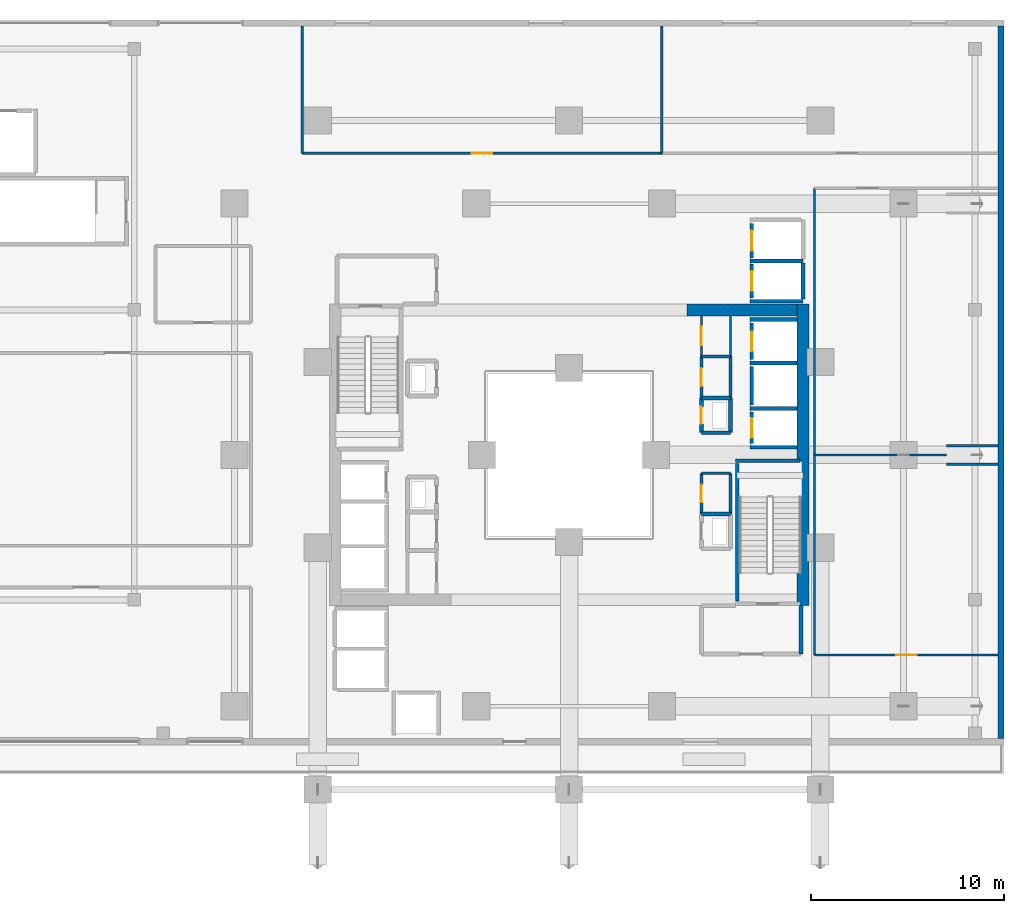
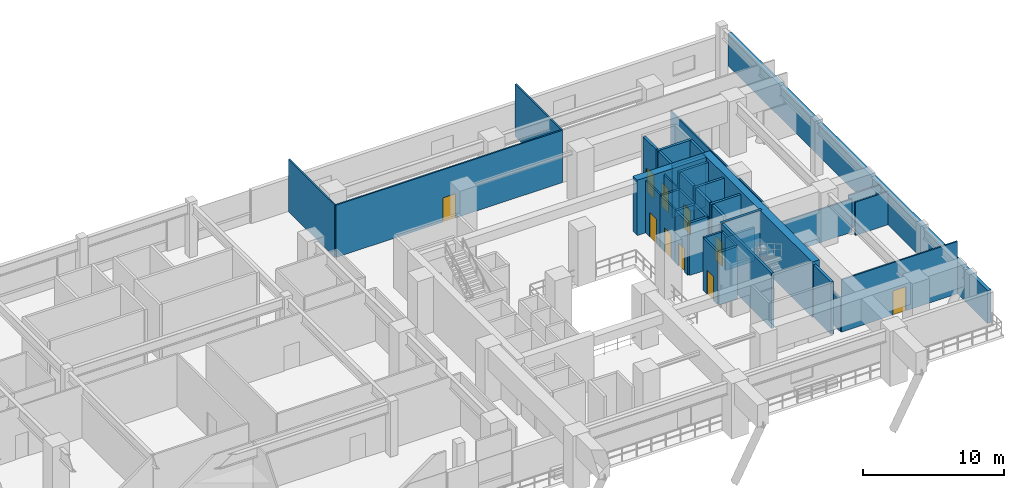
# One storey, part 19 of 25: 40 walls, 10 doors, 10 openings.
"""IFC4 building model written with IfcOpenShell, lengths in metres."""

from ifc_helpers import new_model, si_unit, direction, frame, frame_2d, origin, place, context, subcontext, project, spatial, rectangle, extrude, material, layer, layer_set, type_object, element, fill, save


model = new_model("IFC4")

# Units and contexts
model_context = context("Model", 3, precision=1e-05, world=origin(), true_north=direction((0.0, 1.0)))
body_context = subcontext(model_context, "Body", "Model", "MODEL_VIEW")
ifc_project = project(units=[si_unit("LENGTHUNIT", "METRE"), si_unit("AREAUNIT", "SQUARE_METRE"), si_unit("VOLUMEUNIT", "CUBIC_METRE"), si_unit("PLANEANGLEUNIT", "RADIAN"), si_unit("MASSUNIT", "GRAM", prefix="KILO")], contexts=[model_context])

# Site, building, storey
site_placement = place(None, origin())
site = spatial("IfcSite", under=ifc_project, at=site_placement, CompositionType="ELEMENT")
building_placement = place(site_placement, origin())
building = spatial("IfcBuilding", under=site, at=building_placement, Name="Thornwick Lancets Civic Towers", CompositionType="ELEMENT")
storey_placement = place(building_placement, frame((0.0, 0.0, 23.10009765625)))
storey = spatial("IfcBuildingStorey", under=building, at=storey_placement, Name="L05", CompositionType="ELEMENT", Elevation=23.10009765625)

# Wall, opening, door
ifc_material_1 = material(Name="Concrete blockwork C40/50", Category="masonry")
ifc_layer_1 = layer(ifc_material_1, 0.199951171875, Name="Concrete blockwork C40/50")
ifc_layer_set_1 = layer_set([ifc_layer_1], Name="Concrete blockwork C40/50")
wall_type_1 = type_object("IfcWallType", Name="WALL_COMP_200", PredefinedType="STANDARD", material=ifc_layer_set_1)
wall_1_placement = place(storey_placement, frame((97.949951171875, 29.219970703125, 0.0), z_axis=(0.0, 0.0, 1.0), x_axis=(0.0, -1.0, 0.0)))
wall_1 = element("IfcWall", 1, at=wall_1_placement, inside=storey, type_object=wall_type_1, Name="L05 Hoistway Front Wall FL-B1", PredefinedType="STANDARD", context=body_context, shape_type="SweptSolid", body=[
    extrude(rectangle(XDim=1.639892578125, YDim=0.199951171875, at=frame_2d((0.81982421875, 0.0))), origin(), (0.0, 0.0, 1.0), 4.539794921875),
])
opening_1_placement = place(wall_1_placement, frame((0.31005859375, 0.0, 0.0)))
opening_1 = element("IfcOpeningElement", 2, at=opening_1_placement, cuts=wall_1, Name="Opening LD-FL-B1", PredefinedType="OPENING", context=body_context, shape_type="SweptSolid", body=[
    extrude(rectangle(XDim=1.02001953125, YDim=2.06005859375, at=frame_2d((0.510009765625, 1.030029296875))), frame((0.0, 0.10986328125, 0.0), z_axis=(0.0, -1.0, 0.0), x_axis=(1.0, 0.0, 0.0)), (0.0, 0.0, 1.0), 0.219970703125),
])
ifc_material_2 = material(Name="Brushed bronze stainless steel", Category="steel")
door_type_1 = type_object("IfcDoorType", Name="DOOR_LIFT_SLIDE", OperationType="SLIDING_TO_LEFT", PredefinedType="DOOR", material=ifc_material_2)
door_1_placement = place(opening_1_placement, origin())
door_1 = element("IfcDoor", 3, at=door_1_placement, inside=storey, type_object=door_type_1, Name="L05 Sliding Lift Landing Door LD-FL-B1", OperationType="SLIDING_TO_LEFT", OverallHeight=2.06005859375, OverallWidth=1.02001953125, PredefinedType="DOOR", context=body_context, shape_type="SweptSolid", body=[
    extrude(rectangle(XDim=1.02001953125, YDim=2.06005859375, at=frame_2d((0.510009765625, 1.030029296875))), frame((0.0, 0.02490234375, 0.0), z_axis=(0.0, -1.0, 0.0), x_axis=(1.0, 0.0, 0.0)), (0.0, 0.0, 1.0), 0.050048828125),
])
fill(opening_1, door_1)

# Wall
wall_2_placement = place(storey_placement, frame((97.949951171875, 31.570068359375, 0.0), z_axis=(0.0, 0.0, 1.0), x_axis=(0.0, -1.0, 0.0)))
element("IfcWall", 4, at=wall_2_placement, inside=storey, type_object=wall_type_1, Name="L05 Hoistway Front Wall PL-BH1", PredefinedType="STANDARD", context=body_context, shape_type="SweptSolid", body=[
    extrude(rectangle(XDim=1.989990234375, YDim=0.199951171875, at=frame_2d((0.9951171875, 0.0))), origin(), (0.0, 0.0, 1.0), 4.539794921875),
])

# Wall, opening, door
wall_3_placement = place(storey_placement, frame((97.949951171875, 33.820068359375, 0.0), z_axis=(0.0, 0.0, 1.0), x_axis=(0.0, -1.0, 0.0)))
wall_3 = element("IfcWall", 5, at=wall_3_placement, inside=storey, type_object=wall_type_1, Name="L05 Hoistway Front Wall PL-BL1", PredefinedType="STANDARD", context=body_context, shape_type="SweptSolid", body=[
    extrude(rectangle(XDim=1.89013671875, YDim=0.199951171875, at=frame_2d((0.945068359375, 0.0))), origin(), (0.0, 0.0, 1.0), 4.539794921875),
])
opening_2_placement = place(wall_3_placement, frame((0.43505859375, 0.0, 0.0)))
opening_2 = element("IfcOpeningElement", 6, at=opening_2_placement, cuts=wall_3, Name="Opening LD-PL-BL1", PredefinedType="OPENING", context=body_context, shape_type="SweptSolid", body=[
    extrude(rectangle(XDim=1.02001953125, YDim=2.06005859375, at=frame_2d((0.510009765625, 1.030029296875))), frame((0.0, 0.10986328125, 0.0), z_axis=(0.0, -1.0, 0.0), x_axis=(1.0, 0.0, 0.0)), (0.0, 0.0, 1.0), 0.219970703125),
])
door_2_placement = place(opening_2_placement, origin())
door_2 = element("IfcDoor", 7, at=door_2_placement, inside=storey, type_object=door_type_1, Name="L05 Sliding Lift Landing Door LD-PL-BL1", OperationType="SLIDING_TO_LEFT", OverallHeight=2.06005859375, OverallWidth=1.02001953125, PredefinedType="DOOR", context=body_context, shape_type="SweptSolid", body=[
    extrude(rectangle(XDim=1.02001953125, YDim=2.06005859375, at=frame_2d((0.510009765625, 1.030029296875))), frame((0.0, 0.02490234375, 0.0), z_axis=(0.0, -1.0, 0.0), x_axis=(1.0, 0.0, 0.0)), (0.0, 0.0, 1.0), 0.050048828125),
])
fill(opening_2, door_2)

wall_4_placement = place(storey_placement, frame((97.949951171875, 36.8701171875, 0.0), z_axis=(0.0, 0.0, 1.0), x_axis=(0.0, -1.0, 0.0)))
wall_4 = element("IfcWall", 8, at=wall_4_placement, inside=storey, type_object=wall_type_1, Name="L05 Hoistway Front Wall PL-BL2", PredefinedType="STANDARD", context=body_context, shape_type="SweptSolid", body=[
    extrude(rectangle(XDim=1.740234375, YDim=0.199951171875, at=frame_2d((0.8701171875, 0.0))), origin(), (0.0, 0.0, 1.0), 4.539794921875),
])
opening_3_placement = place(wall_4_placement, frame((0.360107421875, 0.0, 0.0)))
opening_3 = element("IfcOpeningElement", 9, at=opening_3_placement, cuts=wall_4, Name="Opening LD-PL-BL2", PredefinedType="OPENING", context=body_context, shape_type="SweptSolid", body=[
    extrude(rectangle(XDim=1.02001953125, YDim=2.06005859375, at=frame_2d((0.510009765625, 1.030029296875))), frame((0.0, 0.10986328125, 0.0), z_axis=(0.0, -1.0, 0.0), x_axis=(1.0, 0.0, 0.0)), (0.0, 0.0, 1.0), 0.219970703125),
])
door_3_placement = place(opening_3_placement, origin())
door_3 = element("IfcDoor", 10, at=door_3_placement, inside=storey, type_object=door_type_1, Name="L05 Sliding Lift Landing Door LD-PL-BL2", OperationType="SLIDING_TO_LEFT", OverallHeight=2.06005859375, OverallWidth=1.02001953125, PredefinedType="DOOR", context=body_context, shape_type="SweptSolid", body=[
    extrude(rectangle(XDim=1.02001953125, YDim=2.06005859375, at=frame_2d((0.510009765625, 1.030029296875))), frame((0.0, 0.02490234375, 0.0), z_axis=(0.0, -1.0, 0.0), x_axis=(1.0, 0.0, 0.0)), (0.0, 0.0, 1.0), 0.050048828125),
])
fill(opening_3, door_3)

wall_5_placement = place(storey_placement, frame((97.949951171875, 38.969970703125, 0.0), z_axis=(0.0, 0.0, 1.0), x_axis=(0.0, -1.0, 0.0)))
wall_5 = element("IfcWall", 11, at=wall_5_placement, inside=storey, type_object=wall_type_1, Name="L05 Hoistway Front Wall PL-BL3", PredefinedType="STANDARD", context=body_context, shape_type="SweptSolid", body=[
    extrude(rectangle(XDim=1.7900390625, YDim=0.199951171875, at=frame_2d((0.89501953125, 0.0))), origin(), (0.0, 0.0, 1.0), 4.539794921875),
])
opening_4_placement = place(wall_5_placement, frame((0.385009765625, 0.0, 0.0)))
opening_4 = element("IfcOpeningElement", 12, at=opening_4_placement, cuts=wall_5, Name="Opening LD-PL-BL3", PredefinedType="OPENING", context=body_context, shape_type="SweptSolid", body=[
    extrude(rectangle(XDim=1.02001953125, YDim=2.06005859375, at=frame_2d((0.510009765625, 1.030029296875))), frame((0.0, 0.10986328125, 0.0), z_axis=(0.0, -1.0, 0.0), x_axis=(1.0, 0.0, 0.0)), (0.0, 0.0, 1.0), 0.219970703125),
])
door_4_placement = place(opening_4_placement, origin())
door_4 = element("IfcDoor", 13, at=door_4_placement, inside=storey, type_object=door_type_1, Name="L05 Sliding Lift Landing Door LD-PL-BL3", OperationType="SLIDING_TO_LEFT", OverallHeight=2.06005859375, OverallWidth=1.02001953125, PredefinedType="DOOR", context=body_context, shape_type="SweptSolid", body=[
    extrude(rectangle(XDim=1.02001953125, YDim=2.06005859375, at=frame_2d((0.510009765625, 1.030029296875))), frame((0.0, 0.02490234375, 0.0), z_axis=(0.0, -1.0, 0.0), x_axis=(1.0, 0.0, 0.0)), (0.0, 0.0, 1.0), 0.050048828125),
])
fill(opening_4, door_4)

# Walls
wall_6_placement = place(storey_placement, frame((97.85205078125, 29.39990234375, 0.0), z_axis=(0.0, 0.0, 1.0), x_axis=(1.0, 0.0, 0.0)))
element("IfcWall", 14, at=wall_6_placement, inside=storey, type_object=wall_type_1, Name="L05 Hoistway Shaft Wall FL-B1 N", PredefinedType="STANDARD", context=body_context, shape_type="SweptSolid", body=[
    extrude(rectangle(XDim=2.43603515625, YDim=0.199951171875, at=frame_2d((1.218017578125, 0.0))), origin(), (0.0, 0.0, 1.0), 4.539794921875),
])
wall_7_placement = place(storey_placement, frame((97.85205078125, 27.39990234375, 0.0), z_axis=(0.0, 0.0, 1.0), x_axis=(1.0, 0.0, 0.0)))
element("IfcWall", 15, at=wall_7_placement, inside=storey, type_object=wall_type_1, Name="L05 Hoistway Shaft Wall FL-B1 S", PredefinedType="STANDARD", context=body_context, shape_type="SweptSolid", body=[
    extrude(rectangle(XDim=2.43603515625, YDim=0.199951171875, at=frame_2d((1.218017578125, 0.0))), origin(), (0.0, 0.0, 1.0), 2.885009765625),
])
for number, where, z_axis, x_axis, name in (
    (16, (97.85205078125, 31.75, 0.0), (0.0, 0.0, 1.0), (1.0, 0.0, 0.0), "L05 Hoistway Shaft Wall PL-BH1 N"),
    (17, (97.85205078125, 34.0, 0.0), (0.0, 0.0, 1.0), (1.0, 0.0, 0.0), "L05 Hoistway Shaft Wall PL-BL1 N"),
):
    element("IfcWall", number, at=place(storey_placement, frame(where, z_axis=z_axis, x_axis=x_axis)), inside=storey, type_object=wall_type_1, Name=name, PredefinedType="STANDARD", context=body_context, shape_type="SweptSolid", body=[
        extrude(rectangle(XDim=2.43603515625, YDim=0.199951171875, at=frame_2d((1.218017578125, 0.0))), origin(), (0.0, 0.0, 1.0), 4.539794921875),
    ])
for number, where, z_axis, x_axis, name in (
    (18, (97.85205078125, 37.02490234375, 0.0), (0.0, 0.0, 1.0), (1.0, 0.0, 0.0), "L05 Hoistway Shaft Wall PL-BL2 N"),
    (19, (97.85205078125, 34.949951171875, 0.0), (0.0, 0.0, 1.0), (1.0, 0.0, 0.0), "L05 Hoistway Shaft Wall PL-BL2 S"),
):
    element("IfcWall", number, at=place(storey_placement, frame(where, z_axis=z_axis, x_axis=x_axis)), inside=storey, type_object=wall_type_1, Name=name, PredefinedType="STANDARD", context=body_context, shape_type="SweptSolid", body=[
        extrude(rectangle(XDim=2.745849609375, YDim=0.199951171875, at=frame_2d((1.373046875, 0.0))), origin(), (0.0, 0.0, 1.0), 4.539794921875),
    ])
wall_8_placement = place(storey_placement, frame((100.60009765625, 35.06201171875, 0.0), z_axis=(0.0, 0.0, 1.0), x_axis=(0.0, 1.0, 0.0)))
element("IfcWall", 20, at=wall_8_placement, inside=storey, type_object=wall_type_1, Name="L05 Hoistway Shaft Wall PL-BL2 E", PredefinedType="STANDARD", context=body_context, shape_type="SweptSolid", body=[
    extrude(rectangle(XDim=1.85595703125, YDim=0.199951171875, at=frame_2d((0.927978515625, 0.0))), origin(), (0.0, 0.0, 1.0), 4.539794921875),
])
wall_9_placement = place(storey_placement, frame((100.5, 16.699951171875, 0.0), z_axis=(0.0, 0.0, 1.0), x_axis=(0.0, 1.0, 0.0)))
element("IfcWall", 21, at=wall_9_placement, inside=storey, type_object=wall_type_1, Name="L05 Partition L05-B-FFLOB1 E2", PredefinedType="STANDARD", context=body_context, shape_type="SweptSolid", body=[
    extrude(rectangle(XDim=2.5, YDim=0.199951171875, at=frame_2d((1.25, 0.0))), origin(), (0.0, 0.0, 1.0), 4.539794921875),
])
wall_10_placement = place(storey_placement, frame((95.35009765625, 28.14990234375, 0.0), z_axis=(0.0, 0.0, 1.0), x_axis=(1.0, 0.0, 0.0)))
element("IfcWall", 22, at=wall_10_placement, inside=storey, type_object=wall_type_1, Name="L05 Partition L05-B-DUCT1 E1", PredefinedType="STANDARD", context=body_context, shape_type="SweptSolid", body=[
    extrude(rectangle(XDim=1.5, YDim=0.199951171875, at=frame_2d((0.75, 0.0))), origin(), (0.0, 0.0, 1.0), 4.539794921875),
])
wall_11_placement = place(storey_placement, frame((96.85009765625, 28.14990234375, 0.0), z_axis=(0.0, 0.0, 1.0), x_axis=(0.0, 1.0, 0.0)))
element("IfcWall", 23, at=wall_11_placement, inside=storey, type_object=wall_type_1, Name="L05 Partition L05-B-DUCT1 E2", PredefinedType="STANDARD", context=body_context, shape_type="SweptSolid", body=[
    extrude(rectangle(XDim=1.800048828125, YDim=0.199951171875, at=frame_2d((0.89990234375, 0.0))), origin(), (0.0, 0.0, 1.0), 4.539794921875),
])
wall_12_placement = place(storey_placement, frame((96.85009765625, 29.949951171875, 0.0), z_axis=(0.0, 0.0, 1.0), x_axis=(-1.0, 0.0, 0.0)))
element("IfcWall", 24, at=wall_12_placement, inside=storey, type_object=wall_type_1, Name="L05 Partition L05-B-DUCT1 E3", PredefinedType="STANDARD", context=body_context, shape_type="SweptSolid", body=[
    extrude(rectangle(XDim=1.5, YDim=0.199951171875, at=frame_2d((0.75, 0.0))), origin(), (0.0, 0.0, 1.0), 4.539794921875),
])

# Wall, opening, door
wall_13_placement = place(storey_placement, frame((95.35009765625, 29.949951171875, 0.0), z_axis=(0.0, 0.0, 1.0), x_axis=(0.0, -1.0, 0.0)))
wall_13 = element("IfcWall", 25, at=wall_13_placement, inside=storey, type_object=wall_type_1, Name="L05 Partition L05-B-DUCT1 E4", PredefinedType="STANDARD", context=body_context, shape_type="SweptSolid", body=[
    extrude(rectangle(XDim=1.800048828125, YDim=0.199951171875, at=frame_2d((0.89990234375, 0.0))), origin(), (0.0, 0.0, 1.0), 4.539794921875),
])
opening_5_placement = place(wall_13_placement, frame((0.4599609375, 0.0, 0.0)))
opening_5 = element("IfcOpeningElement", 26, at=opening_5_placement, cuts=wall_13, Name="Opening D-L05-0291", PredefinedType="OPENING", context=body_context, shape_type="SweptSolid", body=[
    extrude(rectangle(XDim=0.8798828125, YDim=2.0400390625, at=frame_2d((0.43994140625, 1.02001953125))), frame((0.0, 0.10986328125, 0.0), z_axis=(0.0, -1.0, 0.0), x_axis=(1.0, 0.0, 0.0)), (0.0, 0.0, 1.0), 0.219970703125),
])
ifc_material_3 = material(Name="Steel riser access doorset", Category="steel")
door_type_2 = type_object("IfcDoorType", Name="DOOR_RISER_850", OperationType="NOTDEFINED", PredefinedType="DOOR", material=ifc_material_3)
door_5_placement = place(opening_5_placement, origin())
door_5 = element("IfcDoor", 27, at=door_5_placement, inside=storey, type_object=door_type_2, Name="L05 East Service Duct 1 Door", OperationType="SINGLE_SWING_RIGHT", OverallHeight=2.0400390625, OverallWidth=0.8798828125, PredefinedType="DOOR", context=body_context, shape_type="SweptSolid", body=[
    extrude(rectangle(XDim=0.8798828125, YDim=2.0400390625, at=frame_2d((0.43994140625, 1.02001953125))), frame((0.0, 0.02490234375, 0.0), z_axis=(0.0, -1.0, 0.0), x_axis=(1.0, 0.0, 0.0)), (0.0, 0.0, 1.0), 0.050048828125),
])
fill(opening_5, door_5)

# Walls
wall_14_placement = place(storey_placement, frame((96.85009765625, 23.949951171875, 0.0), z_axis=(0.0, 0.0, 1.0), x_axis=(-1.0, 0.0, 0.0)))
element("IfcWall", 28, at=wall_14_placement, inside=storey, type_object=wall_type_1, Name="L05 Partition L05-B-RISER1 E3", PredefinedType="STANDARD", context=body_context, shape_type="SweptSolid", body=[
    extrude(rectangle(XDim=1.5, YDim=0.199951171875, at=frame_2d((0.75, 0.0))), origin(), (0.0, 0.0, 1.0), 4.539794921875),
])
ifc_material_4 = material(Name="Concrete C60/75", Category="concrete")
ifc_layer_2 = layer(ifc_material_4, 0.60009765625, Name="Concrete C60/75")
ifc_layer_set_2 = layer_set([ifc_layer_2], Name="Concrete C60/75")
wall_type_2 = type_object("IfcWallType", Name="WALL_CORE_600", PredefinedType="SHEAR", material=ifc_layer_set_2)
wall_15_placement = place(storey_placement, frame((100.60009765625, 19.199951171875, 0.0), z_axis=(0.0, 0.0, 1.0), x_axis=(0.0, 1.0, 0.0)))
element("IfcWall", 29, at=wall_15_placement, inside=storey, type_object=wall_type_2, Name="L05 Split Core B1 Shear Wall E", PredefinedType="SHEAR", context=body_context, shape_type="SweptSolid", body=[
    extrude(rectangle(XDim=15.60009765625, YDim=0.60009765625, at=frame_2d((7.800048828125, 0.0))), origin(), (0.0, 0.0, 1.0), 4.7998046875),
])
wall_16_placement = place(storey_placement, frame((94.60009765625, 34.5, 0.0), z_axis=(0.0, 0.0, 1.0), x_axis=(1.0, 0.0, 0.0)))
element("IfcWall", 30, at=wall_16_placement, inside=storey, type_object=wall_type_2, Name="L05 Split Core B1 Shear Wall N", PredefinedType="SHEAR", context=body_context, shape_type="SweptSolid", body=[
    extrude(rectangle(XDim=5.699951171875, YDim=0.60009765625, at=frame_2d((2.85009765625, 0.0))), origin(), (0.0, 0.0, 1.0), 4.7998046875),
])
ifc_material_5 = material(Name="Insulated russet terracotta rainscreen on concrete C40/50", Category="masonry")
ifc_layer_3 = layer(ifc_material_5, 0.300048828125, Name="Insulated russet terracotta rainscreen on concrete C40/50")
ifc_layer_set_3 = layer_set([ifc_layer_3], Name="Insulated russet terracotta rainscreen on concrete C40/50")
wall_type_3 = type_object("IfcWallType", Name="WALL_EXT_RUSSET_300", PredefinedType="STANDARD", material=ifc_layer_set_3)
wall_17_placement = place(storey_placement, frame((110.85009765625, 12.320068359375, 0.0), z_axis=(0.0, 0.0, 1.0), x_axis=(0.0, 1.0, 0.0)))
element("IfcWall", 31, at=wall_17_placement, inside=storey, type_object=wall_type_3, Name="L05 Podium East Facade Wall", PredefinedType="STANDARD", context=body_context, shape_type="SweptSolid", body=[
    extrude(rectangle(XDim=36.85986328125, YDim=0.300048828125, at=frame_2d((18.429931640625, 0.0))), origin(), (0.0, 0.0, 1.0), 2.83984375),
])

# Wall, opening, door
ifc_material_6 = material(Name="Acoustic gypsum board partition")
ifc_layer_4 = layer(ifc_material_6, 0.1201171875, Name="Acoustic gypsum board partition")
ifc_layer_set_4 = layer_set([ifc_layer_4], Name="Acoustic gypsum board partition")
wall_type_4 = type_object("IfcWallType", Name="WALL_PART_120", PredefinedType="PARTITIONING", material=ifc_layer_set_4)
wall_18_placement = place(storey_placement, frame((95.35009765625, 32.10009765625, 0.0), z_axis=(0.0, 0.0, 1.0), x_axis=(0.0, 1.0, 0.0)))
wall_18 = element("IfcWall", 32, at=wall_18_placement, inside=storey, type_object=wall_type_4, Name="L05 Partition L05-B-ITR E1", PredefinedType="PARTITIONING", context=body_context, shape_type="SweptSolid", body=[
    extrude(rectangle(XDim=2.099853515625, YDim=0.1201171875, at=frame_2d((1.0498046875, 0.0))), origin(), (0.0, 0.0, 1.0), 4.539794921875),
])
opening_6_placement = place(wall_18_placement, frame((0.574951171875, 0.0, 0.0)))
opening_6 = element("IfcOpeningElement", 33, at=opening_6_placement, cuts=wall_18, Name="Opening D-L05-0297", PredefinedType="OPENING", context=body_context, shape_type="SweptSolid", body=[
    extrude(rectangle(XDim=0.949951171875, YDim=2.10009765625, at=frame_2d((0.47509765625, 1.050048828125))), frame((0.0, 0.070068359375, 0.0), z_axis=(0.0, -1.0, 0.0), x_axis=(1.0, 0.0, 0.0)), (0.0, 0.0, 1.0), 0.14013671875),
])
ifc_material_7 = material(Name="European oak acoustic doorset")
door_type_3 = type_object("IfcDoorType", Name="DOOR_OFFICE_950", OperationType="NOTDEFINED", PredefinedType="DOOR", material=ifc_material_7)
door_6_placement = place(opening_6_placement, origin())
door_6 = element("IfcDoor", 34, at=door_6_placement, inside=storey, type_object=door_type_3, Name="L05 Tower B Comms Patch Room Door", OperationType="SINGLE_SWING_RIGHT", OverallHeight=2.10009765625, OverallWidth=0.949951171875, PredefinedType="DOOR", context=body_context, shape_type="SweptSolid", body=[
    extrude(rectangle(XDim=0.949951171875, YDim=2.10009765625, at=frame_2d((0.47509765625, 1.050048828125))), frame((0.0, 0.02490234375, 0.0), z_axis=(0.0, -1.0, 0.0), x_axis=(1.0, 0.0, 0.0)), (0.0, 0.0, 1.0), 0.050048828125),
])
fill(opening_6, door_6)

# Walls
wall_19_placement = place(storey_placement, frame((96.85009765625, 34.199951171875, 0.0), z_axis=(0.0, 0.0, 1.0), x_axis=(0.0, -1.0, 0.0)))
element("IfcWall", 35, at=wall_19_placement, inside=storey, type_object=wall_type_4, Name="L05 Partition L05-B-ITR E3", PredefinedType="PARTITIONING", context=body_context, shape_type="SweptSolid", body=[
    extrude(rectangle(XDim=2.099853515625, YDim=0.1201171875, at=frame_2d((1.0498046875, 0.0))), origin(), (0.0, 0.0, 1.0), 4.539794921875),
])
wall_20_placement = place(storey_placement, frame((101.199951171875, 16.64990234375, 0.0), z_axis=(0.0, 0.0, 1.0), x_axis=(0.0, 1.0, 0.0)))
element("IfcWall", 36, at=wall_20_placement, inside=storey, type_object=wall_type_4, Name="L05 Partition L05-PANT E1", PredefinedType="PARTITIONING", context=body_context, shape_type="SweptSolid", body=[
    extrude(rectangle(XDim=10.35009765625, YDim=0.1201171875, at=frame_2d((5.175048828125, 0.0))), origin(), (0.0, 0.0, 1.0), 2.885009765625),
])
wall_21_placement = place(storey_placement, frame((101.199951171875, 27.0, 0.0), z_axis=(0.0, 0.0, 1.0), x_axis=(1.0, 0.0, 0.0)))
element("IfcWall", 37, at=wall_21_placement, inside=storey, type_object=wall_type_4, Name="L05 Partition L05-PANT E2", PredefinedType="PARTITIONING", context=body_context, shape_type="SweptSolid", body=[
    extrude(rectangle(XDim=6.833740234375, YDim=0.1201171875, at=frame_2d((3.4169921875, 0.0))), origin(), (0.0, 0.0, 1.0), 2.885009765625),
])
wall_22_placement = place(storey_placement, frame((108.03369140625, 26.52001953125, 0.0), z_axis=(0.0, 0.0, 1.0), x_axis=(1.0, 0.0, 0.0)))
element("IfcWall", 38, at=wall_22_placement, inside=storey, type_object=wall_type_4, Name="L05 Partition L05-PANT E4", PredefinedType="PARTITIONING", context=body_context, shape_type="SweptSolid", body=[
    extrude(rectangle(XDim=2.666259765625, YDim=0.1201171875, at=frame_2d((1.3330078125, 0.0))), origin(), (0.0, 0.0, 1.0), 2.885009765625),
])

# Wall, opening, door
wall_23_placement = place(storey_placement, frame((110.699951171875, 16.64990234375, 0.0), z_axis=(0.0, 0.0, 1.0), x_axis=(-1.0, 0.0, 0.0)))
wall_23 = element("IfcWall", 39, at=wall_23_placement, inside=storey, type_object=wall_type_4, Name="L05 Partition L05-PANT E6", PredefinedType="PARTITIONING", context=body_context, shape_type="SweptSolid", body=[
    extrude(rectangle(XDim=9.5, YDim=0.1201171875, at=frame_2d((4.75, 0.0))), origin(), (0.0, 0.0, 1.0), 4.539794921875),
])
opening_7_placement = place(wall_23_placement, frame((4.22509765625, 0.0, 0.0)))
opening_7 = element("IfcOpeningElement", 40, at=opening_7_placement, cuts=wall_23, Name="Opening D-L05-0306", PredefinedType="OPENING", context=body_context, shape_type="SweptSolid", body=[
    extrude(rectangle(XDim=1.050048828125, YDim=2.10009765625, at=frame_2d((0.52490234375, 1.050048828125))), frame((0.0, 0.070068359375, 0.0), z_axis=(0.0, -1.0, 0.0), x_axis=(1.0, 0.0, 0.0)), (0.0, 0.0, 1.0), 0.14013671875),
])
ifc_material_8 = material(Name="Glazed European oak executive doorset")
door_type_4 = type_object("IfcDoorType", Name="DOOR_OFFICE_1050", OperationType="NOTDEFINED", PredefinedType="DOOR", material=ifc_material_8)
door_7_placement = place(opening_7_placement, origin())
door_7 = element("IfcDoor", 41, at=door_7_placement, inside=storey, type_object=door_type_4, Name="L05 Staff Pantry and Breakout Lounge Door", OperationType="SINGLE_SWING_LEFT", OverallHeight=2.10009765625, OverallWidth=1.050048828125, PredefinedType="DOOR", context=body_context, shape_type="SweptSolid", body=[
    extrude(rectangle(XDim=1.050048828125, YDim=2.10009765625, at=frame_2d((0.52490234375, 1.050048828125))), frame((0.0, 0.02490234375, 0.0), z_axis=(0.0, -1.0, 0.0), x_axis=(1.0, 0.0, 0.0)), (0.0, 0.0, 1.0), 0.050048828125),
])
fill(opening_7, door_7)

# Walls
wall_24_placement = place(storey_placement, frame((101.199951171875, 27.0, 0.0), z_axis=(0.0, 0.0, 1.0), x_axis=(0.0, 1.0, 0.0)))
element("IfcWall", 42, at=wall_24_placement, inside=storey, type_object=wall_type_4, Name="L05 Partition L05-ESUITE E3", PredefinedType="PARTITIONING", context=body_context, shape_type="SweptSolid", body=[
    extrude(rectangle(XDim=13.800048828125, YDim=0.1201171875, at=frame_2d((6.89990234375, 0.0))), origin(), (0.0, 0.0, 1.0), 4.539794921875),
])
wall_25_placement = place(storey_placement, frame((110.699951171875, 27.47998046875, 0.0), z_axis=(0.0, 0.0, 1.0), x_axis=(-1.0, 0.0, 0.0)))
element("IfcWall", 43, at=wall_25_placement, inside=storey, type_object=wall_type_4, Name="L05 Partition L05-ESUITE E10", PredefinedType="PARTITIONING", context=body_context, shape_type="SweptSolid", body=[
    extrude(rectangle(XDim=2.666259765625, YDim=0.1201171875, at=frame_2d((1.3330078125, 0.0))), origin(), (0.0, 0.0, 1.0), 2.885009765625),
])
wall_26_placement = place(storey_placement, frame((93.300048828125, 49.179931640625, 0.0), z_axis=(0.0, 0.0, 1.0), x_axis=(0.0, -1.0, 0.0)))
element("IfcWall", 44, at=wall_26_placement, inside=storey, type_object=wall_type_4, Name="L05 Partition L05-OFFNC E2", PredefinedType="PARTITIONING", context=body_context, shape_type="SweptSolid", body=[
    extrude(rectangle(XDim=6.579833984375, YDim=0.1201171875, at=frame_2d((3.2900390625, 0.0))), origin(), (0.0, 0.0, 1.0), 4.539794921875),
])

# Wall, opening, door
wall_27_placement = place(storey_placement, frame((93.300048828125, 42.60009765625, 0.0), z_axis=(0.0, 0.0, 1.0), x_axis=(-1.0, 0.0, 0.0)))
wall_27 = element("IfcWall", 45, at=wall_27_placement, inside=storey, type_object=wall_type_4, Name="L05 Partition L05-OFFNC E3", PredefinedType="PARTITIONING", context=body_context, shape_type="SweptSolid", body=[
    extrude(rectangle(XDim=18.60009765625, YDim=0.1201171875, at=frame_2d((9.300048828125, 0.0))), origin(), (0.0, 0.0, 1.0), 4.539794921875),
])
opening_8_placement = place(wall_27_placement, frame((8.77490234375, 0.0, 0.0)))
opening_8 = element("IfcOpeningElement", 46, at=opening_8_placement, cuts=wall_27, Name="Opening D-L05-0313", PredefinedType="OPENING", context=body_context, shape_type="SweptSolid", body=[
    extrude(rectangle(XDim=1.050048828125, YDim=2.10009765625, at=frame_2d((0.52490234375, 1.050048828125))), frame((0.0, 0.070068359375, 0.0), z_axis=(0.0, -1.0, 0.0), x_axis=(1.0, 0.0, 0.0)), (0.0, 0.0, 1.0), 0.14013671875),
])
door_8_placement = place(opening_8_placement, origin())
door_8 = element("IfcDoor", 47, at=door_8_placement, inside=storey, type_object=door_type_4, Name="L05 North Secretariat Division Door", OperationType="SINGLE_SWING_RIGHT", OverallHeight=2.10009765625, OverallWidth=1.050048828125, PredefinedType="DOOR", context=body_context, shape_type="SweptSolid", body=[
    extrude(rectangle(XDim=1.050048828125, YDim=2.10009765625, at=frame_2d((0.52490234375, 1.050048828125))), frame((0.0, 0.02490234375, 0.0), z_axis=(0.0, -1.0, 0.0), x_axis=(1.0, 0.0, 0.0)), (0.0, 0.0, 1.0), 0.050048828125),
])
fill(opening_8, door_8)

# Wall
wall_28_placement = place(storey_placement, frame((74.699951171875, 42.60009765625, 0.0), z_axis=(0.0, 0.0, 1.0), x_axis=(0.0, 1.0, 0.0)))
element("IfcWall", 48, at=wall_28_placement, inside=storey, type_object=wall_type_4, Name="L05 Partition L05-OFFNC E4", PredefinedType="PARTITIONING", context=body_context, shape_type="SweptSolid", body=[
    extrude(rectangle(XDim=6.579833984375, YDim=0.1201171875, at=frame_2d((3.2900390625, 0.0))), origin(), (0.0, 0.0, 1.0), 4.539794921875),
])

# Wall, opening, door
ifc_material_9 = material(Name="Twin-stud acoustic gypsum board")
ifc_layer_5 = layer(ifc_material_9, 0.14990234375, Name="Twin-stud acoustic gypsum board")
ifc_layer_set_5 = layer_set([ifc_layer_5], Name="Twin-stud acoustic gypsum board")
wall_type_5 = type_object("IfcWallType", Name="WALL_PART_150", PredefinedType="PARTITIONING", material=ifc_layer_set_5)
wall_29_placement = place(storey_placement, frame((95.35009765625, 23.949951171875, 0.0), z_axis=(0.0, 0.0, 1.0), x_axis=(0.0, 1.0, 0.0)))
wall_29 = element("IfcWall", 49, at=wall_29_placement, inside=storey, type_object=wall_type_5, Name="L05 Partition L05-B-MWC E1", PredefinedType="PARTITIONING", context=body_context, shape_type="SweptSolid", body=[
    extrude(rectangle(XDim=2.10009765625, YDim=0.14990234375, at=frame_2d((1.050048828125, 0.0))), origin(), (0.0, 0.0, 1.0), 4.539794921875),
])
opening_9_placement = place(wall_29_placement, frame((0.590087890625, 0.0, 0.0)))
opening_9 = element("IfcOpeningElement", 50, at=opening_9_placement, cuts=wall_29, Name="Opening D-L05-0295", PredefinedType="OPENING", context=body_context, shape_type="SweptSolid", body=[
    extrude(rectangle(XDim=0.919921875, YDim=2.080078125, at=frame_2d((0.4599609375, 1.0400390625))), frame((0.0, 0.0849609375, 0.0), z_axis=(0.0, -1.0, 0.0), x_axis=(1.0, 0.0, 0.0)), (0.0, 0.0, 1.0), 0.169921875),
])
ifc_material_10 = material(Name="Moisture-resistant oak doorset")
door_type_5 = type_object("IfcDoorType", Name="DOOR_WC_900", OperationType="NOTDEFINED", PredefinedType="DOOR", material=ifc_material_10)
door_9_placement = place(opening_9_placement, origin())
door_9 = element("IfcDoor", 51, at=door_9_placement, inside=storey, type_object=door_type_5, Name="L05 Tower B Male WC Door", OperationType="SINGLE_SWING_RIGHT", OverallHeight=2.080078125, OverallWidth=0.919921875, PredefinedType="DOOR", context=body_context, shape_type="SweptSolid", body=[
    extrude(rectangle(XDim=0.919921875, YDim=2.080078125, at=frame_2d((0.4599609375, 1.0400390625))), frame((0.0, 0.02490234375, 0.0), z_axis=(0.0, -1.0, 0.0), x_axis=(1.0, 0.0, 0.0)), (0.0, 0.0, 1.0), 0.050048828125),
])
fill(opening_9, door_9)

# Walls
wall_30_placement = place(storey_placement, frame((95.35009765625, 26.050048828125, 0.0), z_axis=(0.0, 0.0, 1.0), x_axis=(1.0, 0.0, 0.0)))
element("IfcWall", 52, at=wall_30_placement, inside=storey, type_object=wall_type_5, Name="L05 Partition L05-B-MWC E2", PredefinedType="PARTITIONING", context=body_context, shape_type="SweptSolid", body=[
    extrude(rectangle(XDim=1.5, YDim=0.14990234375, at=frame_2d((0.75, 0.0))), origin(), (0.0, 0.0, 1.0), 4.539794921875),
])
wall_31_placement = place(storey_placement, frame((96.85009765625, 26.050048828125, 0.0), z_axis=(0.0, 0.0, 1.0), x_axis=(0.0, -1.0, 0.0)))
element("IfcWall", 53, at=wall_31_placement, inside=storey, type_object=wall_type_5, Name="L05 Partition L05-B-MWC E3", PredefinedType="PARTITIONING", context=body_context, shape_type="SweptSolid", body=[
    extrude(rectangle(XDim=2.10009765625, YDim=0.14990234375, at=frame_2d((1.050048828125, 0.0))), origin(), (0.0, 0.0, 1.0), 4.539794921875),
])

# Wall, opening, door
wall_32_placement = place(storey_placement, frame((95.35009765625, 29.949951171875, 0.0), z_axis=(0.0, 0.0, 1.0), x_axis=(0.0, 1.0, 0.0)))
wall_32 = element("IfcWall", 54, at=wall_32_placement, inside=storey, type_object=wall_type_5, Name="L05 Partition L05-B-FWC E1", PredefinedType="PARTITIONING", context=body_context, shape_type="SweptSolid", body=[
    extrude(rectangle(XDim=2.150146484375, YDim=0.14990234375, at=frame_2d((1.0751953125, 0.0))), origin(), (0.0, 0.0, 1.0), 4.539794921875),
])
opening_10_placement = place(wall_32_placement, frame((0.614990234375, 0.0, 0.0)))
opening_10 = element("IfcOpeningElement", 55, at=opening_10_placement, cuts=wall_32, Name="Opening D-L05-0296", PredefinedType="OPENING", context=body_context, shape_type="SweptSolid", body=[
    extrude(rectangle(XDim=0.919921875, YDim=2.080078125, at=frame_2d((0.4599609375, 1.0400390625))), frame((0.0, 0.0849609375, 0.0), z_axis=(0.0, -1.0, 0.0), x_axis=(1.0, 0.0, 0.0)), (0.0, 0.0, 1.0), 0.169921875),
])
door_10_placement = place(opening_10_placement, origin())
door_10 = element("IfcDoor", 56, at=door_10_placement, inside=storey, type_object=door_type_5, Name="L05 Tower B Female WC Door", OperationType="SINGLE_SWING_LEFT", OverallHeight=2.080078125, OverallWidth=0.919921875, PredefinedType="DOOR", context=body_context, shape_type="SweptSolid", body=[
    extrude(rectangle(XDim=0.919921875, YDim=2.080078125, at=frame_2d((0.4599609375, 1.0400390625))), frame((0.0, 0.02490234375, 0.0), z_axis=(0.0, -1.0, 0.0), x_axis=(1.0, 0.0, 0.0)), (0.0, 0.0, 1.0), 0.050048828125),
])
fill(opening_10, door_10)

# Walls
wall_33_placement = place(storey_placement, frame((95.35009765625, 32.10009765625, 0.0), z_axis=(0.0, 0.0, 1.0), x_axis=(1.0, 0.0, 0.0)))
element("IfcWall", 57, at=wall_33_placement, inside=storey, type_object=wall_type_5, Name="L05 Partition L05-B-FWC E2", PredefinedType="PARTITIONING", context=body_context, shape_type="SweptSolid", body=[
    extrude(rectangle(XDim=1.5, YDim=0.14990234375, at=frame_2d((0.75, 0.0))), origin(), (0.0, 0.0, 1.0), 4.539794921875),
])
wall_34_placement = place(storey_placement, frame((96.85009765625, 32.10009765625, 0.0), z_axis=(0.0, 0.0, 1.0), x_axis=(0.0, -1.0, 0.0)))
element("IfcWall", 58, at=wall_34_placement, inside=storey, type_object=wall_type_5, Name="L05 Partition L05-B-FWC E3", PredefinedType="PARTITIONING", context=body_context, shape_type="SweptSolid", body=[
    extrude(rectangle(XDim=2.150146484375, YDim=0.14990234375, at=frame_2d((1.0751953125, 0.0))), origin(), (0.0, 0.0, 1.0), 4.539794921875),
])
ifc_material_11 = material(Name="Concrete C40/50", Category="concrete")
ifc_layer_6 = layer(ifc_material_11, 0.199951171875, Name="Concrete C40/50")
ifc_layer_set_6 = layer_set([ifc_layer_6], Name="Concrete C40/50")
wall_type_6 = type_object("IfcWallType", Name="WALL_SHAFT_200", PredefinedType="SHEAR", material=ifc_layer_set_6)
wall_35_placement = place(storey_placement, frame((97.10009765625, 26.699951171875, 0.0), z_axis=(0.0, 0.0, 1.0), x_axis=(1.0, 0.0, 0.0)))
element("IfcWall", 59, at=wall_35_placement, inside=storey, type_object=wall_type_6, Name="L05 ST-B1 Fire Stair Core Wall FAR", PredefinedType="SHEAR", context=body_context, shape_type="SweptSolid", body=[
    extrude(rectangle(XDim=3.349853515625, YDim=0.199951171875, at=frame_2d((1.6748046875, 0.0))), origin(), (0.0, 0.0, 1.0), 4.7998046875),
])
wall_36_placement = place(storey_placement, frame((97.202880859375, 26.550048828125, 0.0), z_axis=(0.0, 0.0, 1.0), x_axis=(0.0, -1.0, 0.0)))
element("IfcWall", 60, at=wall_36_placement, inside=storey, type_object=wall_type_6, Name="L05 ST-B1 Fire Stair Core Wall RIGHT", PredefinedType="SHEAR", context=body_context, shape_type="SweptSolid", body=[
    extrude(rectangle(XDim=7.10009765625, YDim=0.199951171875, at=frame_2d((3.550048828125, 0.0))), origin(), (0.0, 0.0, 1.0), 4.7998046875),
])

save(model, "model.ifc")
